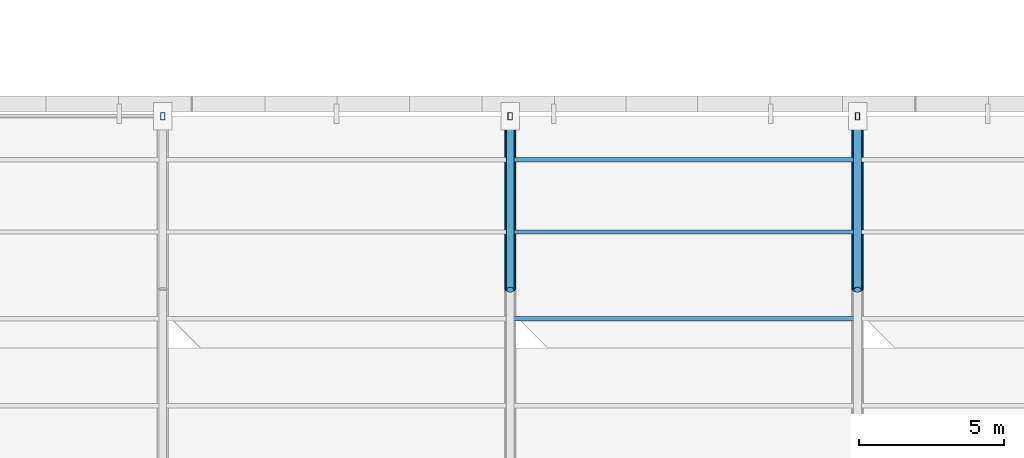
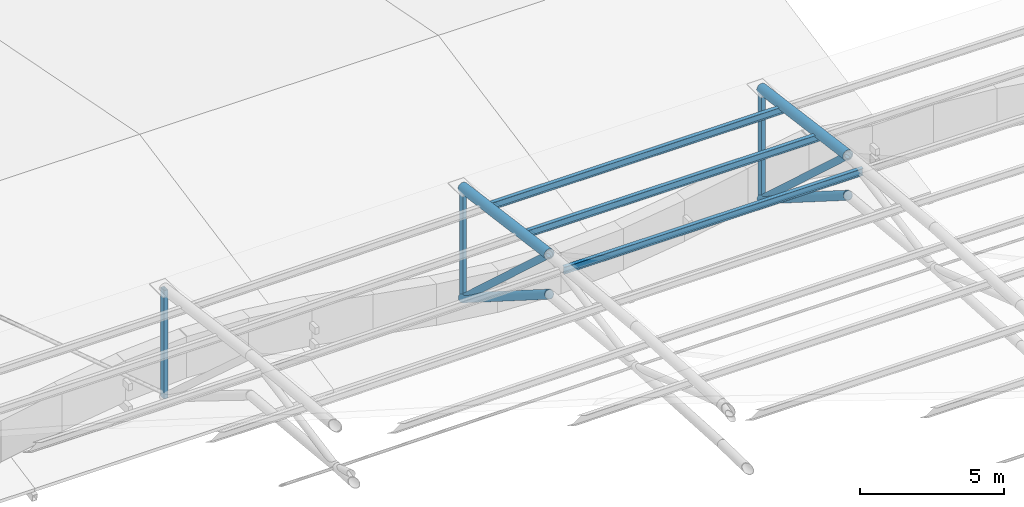
# One storey, part 14 of 29: 12 members.
"""IFC4 building model written with IfcOpenShell, lengths in metres."""

from ifc_helpers import new_model, si_unit, direction, frame, origin, origin_2d, place, context, subcontext, project, spatial, hollow_rectangle, hollow_circle, i_section, extrude, material, material_profile, profile_set, type_object, element, save


model = new_model("IFC4")

# Units and contexts
model_context = context("Model", 3, precision=1e-05, world=origin(), true_north=direction((0.0, 1.0)))
body_context = subcontext(model_context, "Body", "Model", "MODEL_VIEW")
ifc_project = project(units=[si_unit("LENGTHUNIT", "METRE"), si_unit("AREAUNIT", "SQUARE_METRE"), si_unit("VOLUMEUNIT", "CUBIC_METRE"), si_unit("PLANEANGLEUNIT", "RADIAN"), si_unit("MASSUNIT", "GRAM", prefix="KILO")], contexts=[model_context])

# Site, building, storey
site_placement = place(None, origin())
site = spatial("IfcSite", under=ifc_project, at=site_placement, CompositionType="ELEMENT")
building_placement = place(site_placement, origin())
building = spatial("IfcBuilding", under=site, at=building_placement, Name="Keelwater Ferry Terminal", CompositionType="ELEMENT")
storey_placement = place(building_placement, frame((0.0, 0.0, 27.89990234375)))
storey = spatial("IfcBuildingStorey", under=building, at=storey_placement, Name="RF", CompositionType="ELEMENT", Elevation=27.89990234375)

# Members
ifc_material_1 = material(Name="Steel S355", Category="steel")
ifc_material_profile_1 = material_profile(ifc_material_1, hollow_circle(Radius=0.136474609375, WallThickness=0.012451171875, at=origin_2d()), Name="CHS 273x12.5")
ifc_profile_set_1 = profile_set([ifc_material_profile_1], Name="Steel S355")
member_type_1 = type_object("IfcMemberType", Name="BR2 CHS 273x12.5", PredefinedType="BRACE", material=ifc_profile_set_1)
for number, where, z_axis, x_axis, name in (
    (1, (84.0, 84.0, -7.555908203125), (0.0, 0.737527737902, -0.675316841065), (-1.0, 0.0, 0.0), "Structural Member MB-RF-0128"),
    (2, (96.0, 84.0, -7.555908203125), (0.0, 0.737527737902, -0.675316841065), (-1.0, 0.0, 0.0), "Structural Member MB-RF-0160"),
):
    element("IfcMember", number, at=place(storey_placement, frame(where, z_axis=z_axis, x_axis=x_axis)), inside=storey, type_object=member_type_1, Name=name, PredefinedType="BRACE", context=body_context, shape_type="SweptSolid", body=[
        extrude(hollow_circle(Radius=0.136474609375, WallThickness=0.012451171875, at=origin_2d()), origin(), (0.0, 0.0, 1.0), 8.13525390625),
    ])
ifc_material_2 = material(Name="Steel S355", Category="steel")
ifc_material_profile_2 = material_profile(ifc_material_2, hollow_rectangle(XDim=0.14990234375, YDim=0.25, WallThickness=0.010009765625, at=origin_2d()), Name="RHS 250x150x10")
ifc_profile_set_2 = profile_set([ifc_material_profile_2], Name="Steel S355")
member_type_2 = type_object("IfcMemberType", Name="BR5 RHS 250x150x10", PredefinedType="BRACE", material=ifc_profile_set_2)
member_placement = place(storey_placement, frame((72.0, 90.0, -13.0498046875), z_axis=(0.0, 0.0, 1.0), x_axis=(1.0, 0.0, 0.0)))
element("IfcMember", 3, at=member_placement, inside=storey, type_object=member_type_2, Name="Structural Member MB-RF-0066", PredefinedType="BRACE", context=body_context, shape_type="SweptSolid", body=[
    extrude(hollow_rectangle(XDim=0.14990234375, YDim=0.25, WallThickness=0.010009765625, at=origin_2d()), origin(), (0.0, 0.0, 1.0), 4.601806640625),
])
for number, where, z_axis, x_axis, name in (
    (4, (84.0, 90.0, -13.0498046875), (0.0, 0.0, 1.0), (1.0, 0.0, 0.0), "Structural Member MB-RF-0098"),
    (5, (96.0, 90.0, -13.0498046875), (0.0, 0.0, 1.0), (1.0, 0.0, 0.0), "Structural Member MB-RF-0130"),
):
    element("IfcMember", number, at=place(storey_placement, frame(where, z_axis=z_axis, x_axis=x_axis)), inside=storey, type_object=member_type_2, Name=name, PredefinedType="BRACE", context=body_context, shape_type="SweptSolid", body=[
        extrude(hollow_rectangle(XDim=0.14990234375, YDim=0.25, WallThickness=0.010009765625, at=origin_2d()), origin(), (0.0, 0.0, 1.0), 4.684814453125),
    ])
ifc_material_3 = material(Name="Steel S355", Category="steel")
ifc_material_profile_3 = material_profile(ifc_material_3, i_section(OverallWidth=0.14990234375, OverallDepth=0.300048828125, WebThickness=0.007080078125, FlangeThickness=0.0107421875, at=origin_2d()), Name="IPE 300")
ifc_profile_set_3 = profile_set([ifc_material_profile_3], Name="Steel S355")
member_type_3 = type_object("IfcMemberType", Name="PR1 IPE 300", PredefinedType="PURLIN", material=ifc_profile_set_3)
for number, where, z_axis, x_axis, name in (
    (6, (84.0, 83.0, -7.61279296875), (1.0, 0.0, 0.0), (0.0, 1.0, 0.0), "Structural Member MB-RF-0326"),
    (7, (84.0, 86.0, -7.969970703125), (1.0, 0.0, 0.0), (0.0, 1.0, 0.0), "Structural Member MB-RF-0327"),
    (8, (84.0, 88.5, -8.310791015625), (1.0, 0.0, 0.0), (0.0, 1.0, 0.0), "Structural Member MB-RF-0328"),
):
    element("IfcMember", number, at=place(storey_placement, frame(where, z_axis=z_axis, x_axis=x_axis)), inside=storey, type_object=member_type_3, Name=name, PredefinedType="PURLIN", context=body_context, shape_type="SweptSolid", body=[
        extrude(i_section(OverallWidth=0.14990234375, OverallDepth=0.300048828125, WebThickness=0.007080078125, FlangeThickness=0.0107421875, at=origin_2d()), origin(), (0.0, 0.0, 1.0), 12.0),
    ])
ifc_material_4 = material(Name="Steel S355", Category="steel")
ifc_material_profile_4 = material_profile(ifc_material_4, hollow_circle(Radius=0.203125, WallThickness=0.01611328125, at=origin_2d()), Name="CHS 406.4x16")
ifc_profile_set_4 = profile_set([ifc_material_profile_4], Name="Steel S355")
member_type_4 = type_object("IfcMemberType", Name="TC1 CHS 406.4x16", PredefinedType="CHORD", material=ifc_profile_set_4)
for number, where, z_axis, x_axis, name in (
    (9, (84.0, 84.0, -7.555908203125), (0.0, 0.991030285938, -0.13363746613), (-1.0, 0.0, 0.0), "Structural Member MB-RF-0126"),
    (10, (96.0, 84.0, -7.555908203125), (0.0, 0.991030285938, -0.13363746613), (-1.0, 0.0, 0.0), "Structural Member MB-RF-0158"),
):
    element("IfcMember", number, at=place(storey_placement, frame(where, z_axis=z_axis, x_axis=x_axis)), inside=storey, type_object=member_type_4, Name=name, PredefinedType="CHORD", context=body_context, shape_type="SweptSolid", body=[
        extrude(hollow_circle(Radius=0.203125, WallThickness=0.01611328125, at=origin_2d()), origin(), (0.0, 0.0, 1.0), 6.05419921875),
    ])
ifc_material_5 = material(Name="Steel S355", Category="steel")
ifc_material_profile_5 = material_profile(ifc_material_5, hollow_circle(Radius=0.177734375, WallThickness=0.01611328125, at=origin_2d()), Name="CHS 355.6x16")
ifc_profile_set_5 = profile_set([ifc_material_profile_5], Name="Steel S355")
member_type_5 = type_object("IfcMemberType", Name="TC2 CHS 355.6x16", PredefinedType="CHORD", material=ifc_profile_set_5)
for number, where, z_axis, x_axis, name in (
    (11, (84.0, 84.0, -9.255859375), (0.0, 0.845204389629, -0.534443205356), (-1.0, 0.0, 0.0), "Structural Member MB-RF-0127"),
    (12, (96.0, 84.0, -9.255859375), (0.0, 0.845204389629, -0.534443205356), (-1.0, 0.0, 0.0), "Structural Member MB-RF-0159"),
):
    element("IfcMember", number, at=place(storey_placement, frame(where, z_axis=z_axis, x_axis=x_axis)), inside=storey, type_object=member_type_5, Name=name, PredefinedType="CHORD", context=body_context, shape_type="SweptSolid", body=[
        extrude(hollow_circle(Radius=0.177734375, WallThickness=0.01611328125, at=origin_2d()), origin(), (0.0, 0.0, 1.0), 7.098876953125),
    ])

save(model, "model.ifc")
